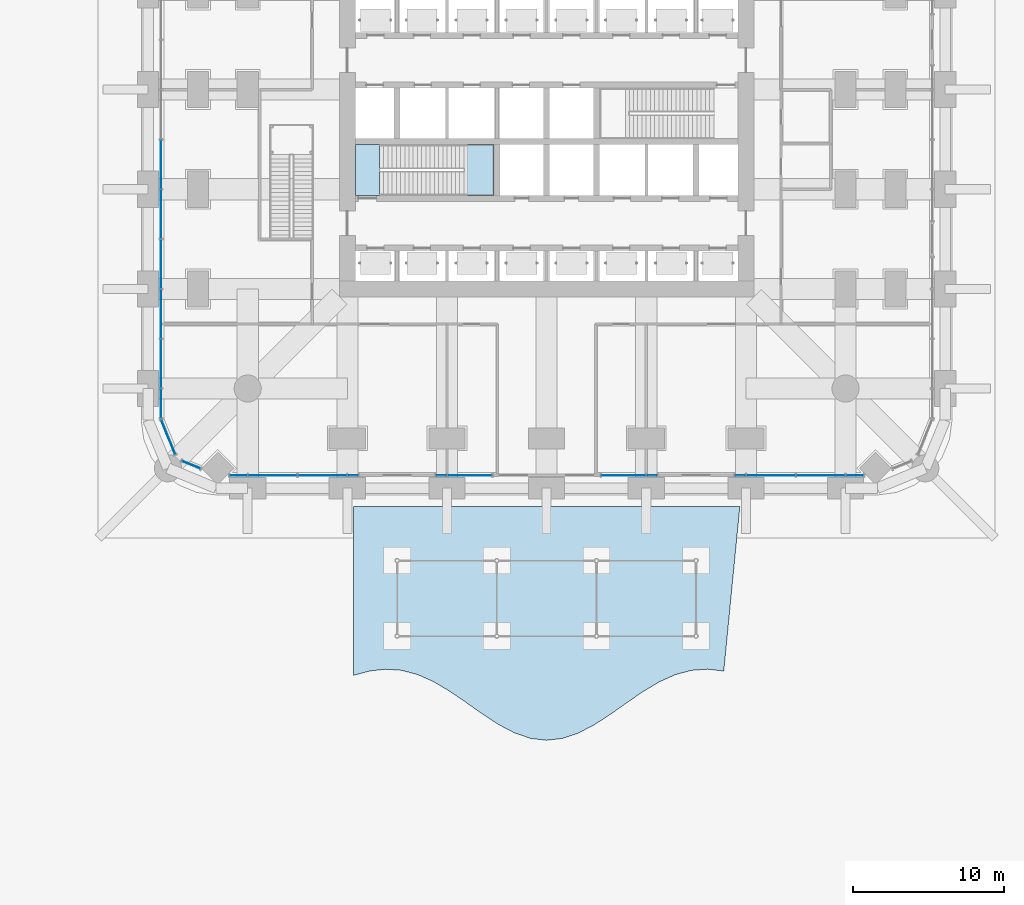
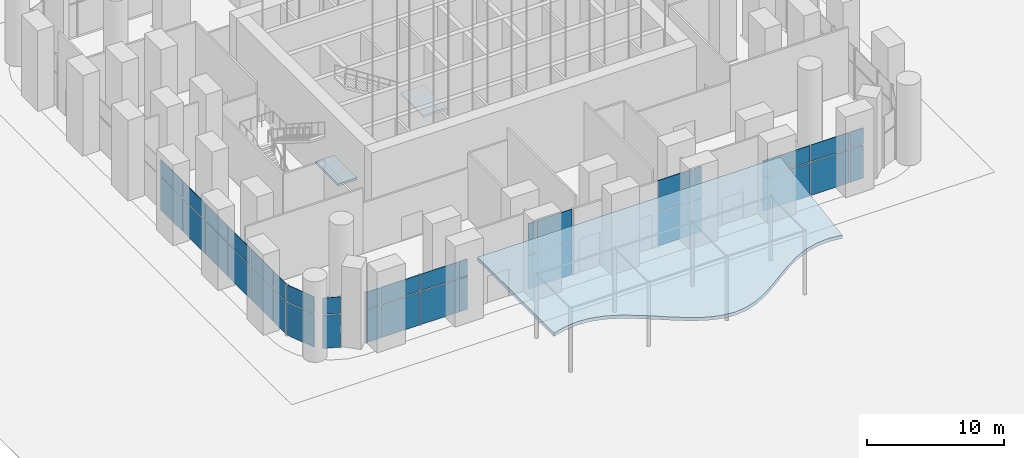
# One storey, part 12 of 32: 40 plates, 4 members, 3 slabs, 8 elements without a shape of their own.
"""IFC4 building model written with IfcOpenShell, lengths in metres."""

import ifcopenshell
import ifcopenshell.guid

model = None  # the IFC model being written
_history = None  # IfcOwnerHistory: only IFC2X3 demands one
_inside = {}  # id of a spatial element -> (the spatial element, [elements in it])
_under = {}  # id of a project, library or spatial element -> (it, [spatial elements below it])
_declared = {}  # id of a project -> (the project, [libraries it declares])
_typed = {}  # id of a type object -> (the type object, [elements of that type])
_made_of = {}  # id of a material, layer set ... -> (it, [elements and type objects made of it])


def new_model(schema):
    """Start an empty IFC model of exactly this schema.

    Asked for "IFC4X3", IfcOpenShell would pick the latest addendum, in which some entities
    have other attributes; the version numbers below select the first issue.
    IFC2X3 requires an IfcOwnerHistory on every rooted entity: one is made here for all.
    """
    global model, _history
    if schema == "IFC4X3":
        model = ifcopenshell.file(schema_version=(4, 3, 0, 0))
    else:
        model = ifcopenshell.file(schema=schema)
    _inside.clear()
    _under.clear()
    _declared.clear()
    _typed.clear()
    _made_of.clear()
    _history = None
    if model.schema == "IFC2X3":
        org = make("IfcOrganization", Name="unknown")
        user = make(
            "IfcPersonAndOrganization",
            ThePerson=make("IfcPerson", FamilyName="unknown"),
            TheOrganization=org,
        )
        app = make(
            "IfcApplication",
            ApplicationDeveloper=org,
            Version="unknown",
            ApplicationFullName="unknown",
            ApplicationIdentifier="unknown",
        )
        _history = make(
            "IfcOwnerHistory",
            OwningUser=user,
            OwningApplication=app,
            ChangeAction="ADDED",
            CreationDate=0,
        )
    return model


def make(cls, **values):
    """One entity of the class cls with the attributes given. An attribute that is None is left unset."""
    return model.create_entity(
        cls, **{name: value for name, value in values.items() if value is not None}
    )


def rooted(cls, **values):
    """An entity with a GlobalId (a new one), such as an element, a storey or a relation."""
    return make(cls, GlobalId=ifcopenshell.guid.new(), OwnerHistory=_history, **values)


def si_unit(unit_type, name, prefix=None):
    """IfcSIUnit, for example si_unit("LENGTHUNIT", "METRE", prefix="MILLI")."""
    return make("IfcSIUnit", UnitType=unit_type, Prefix=prefix, Name=name)


def assignment(units):
    """IfcUnitAssignment: the units of a project."""
    return None if units is None else make("IfcUnitAssignment", Units=units)


def point(xyz):
    """IfcCartesianPoint."""
    return None if xyz is None else make("IfcCartesianPoint", Coordinates=xyz)


def direction(xyz):
    """IfcDirection."""
    return None if xyz is None else make("IfcDirection", DirectionRatios=xyz)


def frame(location, z_axis=None, x_axis=None):
    """IfcAxis2Placement3D, a coordinate frame: its origin and axes. An axis left out is left unset."""
    return make(
        "IfcAxis2Placement3D",
        Location=point(location),
        Axis=direction(z_axis),
        RefDirection=direction(x_axis),
    )


def frame_2d(location, x_axis=None):
    """IfcAxis2Placement2D, a coordinate frame in the plane: its origin and x axis."""
    return make(
        "IfcAxis2Placement2D", Location=point(location), RefDirection=direction(x_axis)
    )


def origin():
    """The frame at (0, 0, 0) with its axes left unset."""
    return frame((0.0, 0.0, 0.0))


def origin_2d():
    """The frame at (0, 0) in the plane with its x axis left unset."""
    return frame_2d((0.0, 0.0))


def place(relative_to, where):
    """IfcLocalPlacement: puts the frame where relative to a parent placement (None: the world)."""
    return make(
        "IfcLocalPlacement", PlacementRelTo=relative_to, RelativePlacement=where
    )


def context(
    kind, dimensions, precision=None, world=None, true_north=None, identifier=None
):
    """IfcGeometricRepresentationContext, for example the 3D "Model" context."""
    return make(
        "IfcGeometricRepresentationContext",
        ContextIdentifier=identifier,
        ContextType=kind,
        CoordinateSpaceDimension=dimensions,
        Precision=precision,
        WorldCoordinateSystem=world,
        TrueNorth=true_north,
    )


def subcontext(parent, identifier, kind, view, scale=None):
    """IfcGeometricRepresentationSubContext, for example "Body" below "Model"."""
    return make(
        "IfcGeometricRepresentationSubContext",
        ContextIdentifier=identifier,
        ContextType=kind,
        ParentContext=parent,
        TargetScale=scale,
        TargetView=view,
    )


def project(units=None, contexts=None):
    """IfcProject with its units and contexts."""
    return rooted(
        "IfcProject",
        Name="project",
        RepresentationContexts=contexts,
        UnitsInContext=assignment(units),
    )


def spatial(cls, under=None, at=None, **own):
    """A site, building, storey or space (cls), placed at a placement, below another one or the project."""
    s = rooted(cls, ObjectPlacement=at, **own)
    if under is not None:
        _under.setdefault(under.id(), (under, []))[1].append(s)
    return s


def polyline(points):
    """IfcPolyline through the points."""
    return make("IfcPolyline", Points=[point(p) for p in points])


def profile(cls, at=None, kind="AREA", **sizes):
    """A parametric profile (cls). Its sizes go by their IFC names, for example OverallWidth=200.0."""
    return make(cls, ProfileType=kind, Position=at, **sizes)


def rectangle(**sizes):
    """IfcRectangleProfileDef."""
    return profile("IfcRectangleProfileDef", **sizes)


def outline(outer, holes=None, kind="AREA"):
    """IfcArbitraryClosedProfileDef: a profile drawn as a closed curve; with holes, ...WithVoids."""
    if holes is None:
        return make("IfcArbitraryClosedProfileDef", ProfileType=kind, OuterCurve=outer)
    return make(
        "IfcArbitraryProfileDefWithVoids",
        ProfileType=kind,
        OuterCurve=outer,
        InnerCurves=holes,
    )


def extrude(swept, where, along, depth):
    """IfcExtrudedAreaSolid: the profile swept, set in the frame where, extruded along a direction by depth."""
    return make(
        "IfcExtrudedAreaSolid",
        SweptArea=swept,
        Position=where,
        ExtrudedDirection=direction(along),
        Depth=depth,
    )


def shape(context_of_items, identifier, shape_type, items):
    """IfcShapeRepresentation: the items that make up one representation, for example the "Body"."""
    return make(
        "IfcShapeRepresentation",
        ContextOfItems=context_of_items,
        RepresentationIdentifier=identifier,
        RepresentationType=shape_type,
        Items=items,
    )


def material(Name=None, Category=None):
    """IfcMaterial."""
    return make("IfcMaterial", Name=Name, Category=Category)


def layer(
    of_material, thickness, ventilated=None, Name=None, Category=None, Priority=None
):
    """IfcMaterialLayer: one layer of a wall or slab, of a material (None: an air gap)."""
    return make(
        "IfcMaterialLayer",
        Material=of_material,
        LayerThickness=thickness,
        IsVentilated=ventilated,
        Name=Name,
        Category=Category,
        Priority=Priority,
    )


def layer_set(layers, Name=None):
    """IfcMaterialLayerSet."""
    return make("IfcMaterialLayerSet", MaterialLayers=layers, LayerSetName=Name)


def material_profile(
    of_material, cross_section, Name=None, Category=None, Priority=None
):
    """IfcMaterialProfile: a cross section and its material."""
    return make(
        "IfcMaterialProfile",
        Name=Name,
        Material=of_material,
        Profile=cross_section,
        Priority=Priority,
        Category=Category,
    )


def profile_set(profiles, Name=None, composite=None):
    """IfcMaterialProfileSet."""
    return make(
        "IfcMaterialProfileSet",
        Name=Name,
        MaterialProfiles=profiles,
        CompositeProfile=composite,
    )


def made_of(thing, what):
    """Note that an element or type object is made of a material, layer set ...; save() writes the relation."""
    if what is not None:
        _made_of.setdefault(what.id(), (what, []))[1].append(thing)
    return thing


def type_object(cls, material=None, **own):
    """A type object (cls), such as IfcWallType, which elements share."""
    return made_of(rooted(cls, **own), material)


def element(
    cls,
    number,
    at=None,
    inside=None,
    cuts=None,
    type_object=None,
    material=None,
    context=None,
    identifier="Body",
    shape_type=None,
    held_by="IfcProductDefinitionShape",
    body=None,
    shapes=None,
    **own,
):
    """One element of the class cls, such as IfcWall. Its Tag is "e" and its number.

    at: its placement. inside: the storey or other place that contains it. cuts: it is an
    opening in that element (IfcRelVoidsElement). A single representation is given by context,
    identifier, shape_type and body (its items); several are given by shapes. held_by: the class
    of the entity that holds the representations. save() writes the other relations.
    """
    e = rooted(cls, Tag="e%d" % number, ObjectPlacement=at, **own)
    if body is not None:
        shapes = [shape(context, identifier, shape_type, body)]
    if shapes is not None:
        e.Representation = make(held_by, Representations=shapes)
    if inside is not None:
        _inside.setdefault(inside.id(), (inside, []))[1].append(e)
    if cuts is not None:
        rooted(
            "IfcRelVoidsElement", RelatingBuildingElement=cuts, RelatedOpeningElement=e
        )
    if type_object is not None:
        _typed.setdefault(type_object.id(), (type_object, []))[1].append(e)
    return made_of(e, material)


def aggregate(whole, parts):
    """IfcRelAggregates: a whole, such as a stair, and the parts it consists of."""
    return rooted("IfcRelAggregates", RelatingObject=whole, RelatedObjects=parts)


def save(model, path):
    """Write the relations noted so far, then the file.

    IfcRelAggregates (storeys below a building ...), IfcRelContainedInSpatialStructure (elements
    in a storey), IfcRelDefinesByType, IfcRelAssociatesMaterial and IfcRelDeclares: one each for
    every whole, place, type object, material and project.
    """
    for whole, parts in _under.values():
        aggregate(whole, parts)
    for where, things in _inside.values():
        rooted(
            "IfcRelContainedInSpatialStructure",
            RelatedElements=things,
            RelatingStructure=where,
        )
    for kind, things in _typed.values():
        rooted("IfcRelDefinesByType", RelatedObjects=things, RelatingType=kind)
    for what, things in _made_of.values():
        rooted("IfcRelAssociatesMaterial", RelatedObjects=things, RelatingMaterial=what)
    for by, libraries in _declared.values():
        rooted("IfcRelDeclares", RelatingContext=by, RelatedDefinitions=libraries)
    model.write(path)


model = new_model("IFC4")

# Units and contexts
model_context = context("Model", 3, precision=1e-05, world=origin(), true_north=direction((0.0, 1.0)))
body_context = subcontext(model_context, "Body", "Model", "MODEL_VIEW")
ifc_project = project(units=[si_unit("LENGTHUNIT", "METRE"), si_unit("AREAUNIT", "SQUARE_METRE"), si_unit("VOLUMEUNIT", "CUBIC_METRE"), si_unit("PLANEANGLEUNIT", "RADIAN"), si_unit("MASSUNIT", "GRAM", prefix="KILO")], contexts=[model_context])

# Site, building, storey
site_placement = place(None, origin())
site = spatial("IfcSite", under=ifc_project, at=site_placement, CompositionType="ELEMENT")
building_placement = place(site_placement, origin())
building = spatial("IfcBuilding", under=site, at=building_placement, Name="Cobogo Forest Laboratory Tower", CompositionType="ELEMENT")
storey_placement = place(building_placement, origin())
storey = spatial("IfcBuildingStorey", under=building, at=storey_placement, Name="L00", CompositionType="ELEMENT", Elevation=0.0)

# Curtain wall, member
ifc_material_1 = material(Name="Aluminium curtain wall", Category="aluminium")
curtain_wall_type = type_object("IfcCurtainWallType", Name="CW-L structural glazing, entrance lobby", PredefinedType="USERDEFINED", material=ifc_material_1)
curtain_wall_1_placement = place(storey_placement, origin())
curtain_wall_1 = element("IfcCurtainWall", 1, at=curtain_wall_1_placement, inside=storey, type_object=curtain_wall_type, Name="Curtain wall 15 L00", ObjectType="STRUCTURAL GLAZING", PredefinedType="USERDEFINED")
ifc_material_2 = material(Name="Aluminium transom", Category="aluminium")
ifc_material_profile = material_profile(ifc_material_2, rectangle(XDim=0.14990234375, YDim=0.080078125, at=origin_2d()), Name="AL 80x150")
ifc_profile_set = profile_set([ifc_material_profile], Name="Aluminium transom")
member_type = type_object("IfcMemberType", Name="TR-3 aluminium lobby transom 80x150", PredefinedType="USERDEFINED", material=ifc_profile_set)
member_1_placement = place(storey_placement, frame((39.56005859375, 0.85009765625, 3.0), z_axis=(-1.0, 0.0, 0.0), x_axis=(0.0, -1.0, 0.0)))
member_1 = element("IfcMember", 2, at=member_1_placement, type_object=member_type, Name="CW-L transom 4.1", ObjectType="TRANSOM", PredefinedType="USERDEFINED", context=body_context, shape_type="SweptSolid", body=[
    extrude(rectangle(XDim=0.14990234375, YDim=0.080078125, at=origin_2d()), origin(), (0.0, 0.0, 1.0), 0.68017578125),
])

curtain_wall_2_placement = place(storey_placement, origin())
curtain_wall_2 = element("IfcCurtainWall", 3, at=curtain_wall_2_placement, inside=storey, type_object=curtain_wall_type, Name="Curtain wall 16 L00", ObjectType="STRUCTURAL GLAZING", PredefinedType="USERDEFINED")
member_2_placement = place(storey_placement, frame((33.719970703125, 0.85009765625, 3.0), z_axis=(-1.0, 0.0, 0.0), x_axis=(0.0, -1.0, 0.0)))
member_2 = element("IfcMember", 4, at=member_2_placement, type_object=member_type, Name="CW-L transom 1.1", ObjectType="TRANSOM", PredefinedType="USERDEFINED", context=body_context, shape_type="SweptSolid", body=[
    extrude(rectangle(XDim=0.14990234375, YDim=0.080078125, at=origin_2d()), origin(), (0.0, 0.0, 1.0), 0.679931640625),
])

curtain_wall_3_placement = place(storey_placement, origin())
curtain_wall_3 = element("IfcCurtainWall", 5, at=curtain_wall_3_placement, inside=storey, type_object=curtain_wall_type, Name="Curtain wall 17 L00", ObjectType="STRUCTURAL GLAZING", PredefinedType="USERDEFINED")
member_3_placement = place(storey_placement, frame((19.760009765625, 0.85009765625, 3.0), z_axis=(-1.0, 0.0, 0.0), x_axis=(0.0, -1.0, 0.0)))
member_3 = element("IfcMember", 6, at=member_3_placement, type_object=member_type, Name="CW-L transom 2.1", ObjectType="TRANSOM", PredefinedType="USERDEFINED", context=body_context, shape_type="SweptSolid", body=[
    extrude(rectangle(XDim=0.14990234375, YDim=0.080078125, at=origin_2d()), origin(), (0.0, 0.0, 1.0), 0.679931640625),
])

curtain_wall_4_placement = place(storey_placement, origin())
curtain_wall_4 = element("IfcCurtainWall", 7, at=curtain_wall_4_placement, inside=storey, type_object=curtain_wall_type, Name="Curtain wall 18 L00", ObjectType="STRUCTURAL GLAZING", PredefinedType="USERDEFINED")
member_4_placement = place(storey_placement, frame((13.919921875, 0.85009765625, 3.0), z_axis=(-1.0, 0.0, 0.0), x_axis=(0.0, -1.0, 0.0)))
member_4 = element("IfcMember", 8, at=member_4_placement, type_object=member_type, Name="CW-L transom 1.1", ObjectType="TRANSOM", PredefinedType="USERDEFINED", context=body_context, shape_type="SweptSolid", body=[
    extrude(rectangle(XDim=0.14990234375, YDim=0.080078125, at=origin_2d()), origin(), (0.0, 0.0, 1.0), 0.679931640625),
])

# Curtain wall, plates
curtain_wall_5_placement = place(storey_placement, origin())
curtain_wall_5 = element("IfcCurtainWall", 9, at=curtain_wall_5_placement, inside=storey, type_object=curtain_wall_type, Name="Curtain wall 01 L00", ObjectType="STRUCTURAL GLAZING", PredefinedType="USERDEFINED")
ifc_material_3 = material(Name="Laminated insulated glass", Category="glass")
ifc_layer_1 = layer(ifc_material_3, 0.0439453125)
ifc_layer_set_1 = layer_set([ifc_layer_1], Name="GP-3 laminated glass unit 44")
plate_type = type_object("IfcPlateType", Name="GP-3 laminated glass unit 44", PredefinedType="CURTAIN_PANEL", material=ifc_layer_set_1)
plate_1_placement = place(storey_placement, frame((2.857177734375, 1.550048828125, 0.0), z_axis=(0.0, 0.0, 1.0), x_axis=(-0.926819589551, 0.37550692194, 0.0)))
plate_1 = element("IfcPlate", 10, at=plate_1_placement, type_object=plate_type, Name="CW-L panel 1.1", PredefinedType="CURTAIN_PANEL", context=body_context, shape_type="SweptSolid", body=[
    extrude(rectangle(XDim=1.30810546875, YDim=0.0439453125, at=origin_2d()), origin(), (0.0, 0.0, 1.0), 2.9599609375),
])
plate_2_placement = place(storey_placement, frame((2.857177734375, 1.550048828125, 3.0400390625), z_axis=(0.0, 0.0, 1.0), x_axis=(-0.926819589551, 0.37550692194, 0.0)))
plate_2 = element("IfcPlate", 11, at=plate_2_placement, type_object=plate_type, Name="CW-L panel 1.2", PredefinedType="CURTAIN_PANEL", context=body_context, shape_type="SweptSolid", body=[
    extrude(rectangle(XDim=1.30810546875, YDim=0.0439453125, at=origin_2d()), origin(), (0.0, 0.0, 1.0), 1.4599609375),
])
aggregate(curtain_wall_5, [plate_1, plate_2])

curtain_wall_6_placement = place(storey_placement, origin())
curtain_wall_6 = element("IfcCurtainWall", 12, at=curtain_wall_6_placement, inside=storey, type_object=curtain_wall_type, Name="Curtain wall 02 L00", ObjectType="STRUCTURAL GLAZING", PredefinedType="USERDEFINED")
plate_3_placement = place(storey_placement, frame((1.337890625, 3.380859375, 0.0), z_axis=(0.0, 0.0, 1.0), x_axis=(-0.375506890138, 0.926819602436, 0.0)))
plate_3 = element("IfcPlate", 13, at=plate_3_placement, type_object=plate_type, Name="CW-L panel 1.1", PredefinedType="CURTAIN_PANEL", context=body_context, shape_type="SweptSolid", body=[
    extrude(rectangle(XDim=2.438720703125, YDim=0.0439453125, at=origin_2d()), origin(), (0.0, 0.0, 1.0), 2.9599609375),
])
plate_4_placement = place(storey_placement, frame((1.337890625, 3.380859375, 3.0400390625), z_axis=(0.0, 0.0, 1.0), x_axis=(-0.375506890138, 0.926819602436, 0.0)))
plate_4 = element("IfcPlate", 14, at=plate_4_placement, type_object=plate_type, Name="CW-L panel 1.2", PredefinedType="CURTAIN_PANEL", context=body_context, shape_type="SweptSolid", body=[
    extrude(rectangle(XDim=2.438720703125, YDim=0.0439453125, at=origin_2d()), origin(), (0.0, 0.0, 1.0), 1.4599609375),
])
aggregate(curtain_wall_6, [plate_3, plate_4])

curtain_wall_7_placement = place(storey_placement, origin())
curtain_wall_7 = element("IfcCurtainWall", 15, at=curtain_wall_7_placement, inside=storey, type_object=curtain_wall_type, Name="Curtain wall 03 L00", ObjectType="STRUCTURAL GLAZING", PredefinedType="USERDEFINED")
plate_5_placement = place(storey_placement, frame((0.85009765625, 5.612548828125, 0.0), z_axis=(0.0, 0.0, 1.0), x_axis=(0.0, 1.0, 0.0)))
plate_5 = element("IfcPlate", 16, at=plate_5_placement, type_object=plate_type, Name="CW-L panel 1.1", PredefinedType="CURTAIN_PANEL", context=body_context, shape_type="SweptSolid", body=[
    extrude(rectangle(XDim=1.894775390625, YDim=0.0439453125, at=origin_2d()), origin(), (0.0, 0.0, 1.0), 2.9599609375),
])
plate_6_placement = place(storey_placement, frame((0.85009765625, 5.612548828125, 3.0400390625), z_axis=(0.0, 0.0, 1.0), x_axis=(0.0, 1.0, 0.0)))
plate_6 = element("IfcPlate", 17, at=plate_6_placement, type_object=plate_type, Name="CW-L panel 1.2", PredefinedType="CURTAIN_PANEL", context=body_context, shape_type="SweptSolid", body=[
    extrude(rectangle(XDim=1.894775390625, YDim=0.0439453125, at=origin_2d()), origin(), (0.0, 0.0, 1.0), 1.4599609375),
])
plate_7_placement = place(storey_placement, frame((0.85009765625, 8.25, 0.0), z_axis=(0.0, 0.0, 1.0), x_axis=(0.0, 1.0, 0.0)))
plate_7 = element("IfcPlate", 18, at=plate_7_placement, type_object=plate_type, Name="CW-L panel 2.1", PredefinedType="CURTAIN_PANEL", context=body_context, shape_type="SweptSolid", body=[
    extrude(rectangle(XDim=3.219970703125, YDim=0.0439453125, at=origin_2d()), origin(), (0.0, 0.0, 1.0), 2.9599609375),
])
plate_8_placement = place(storey_placement, frame((0.85009765625, 8.25, 3.0400390625), z_axis=(0.0, 0.0, 1.0), x_axis=(0.0, 1.0, 0.0)))
plate_8 = element("IfcPlate", 19, at=plate_8_placement, type_object=plate_type, Name="CW-L panel 2.2", PredefinedType="CURTAIN_PANEL", context=body_context, shape_type="SweptSolid", body=[
    extrude(rectangle(XDim=3.219970703125, YDim=0.0439453125, at=origin_2d()), origin(), (0.0, 0.0, 1.0), 1.4599609375),
])
plate_9_placement = place(storey_placement, frame((0.85009765625, 11.550048828125, 0.0), z_axis=(0.0, 0.0, 1.0), x_axis=(0.0, 1.0, 0.0)))
plate_9 = element("IfcPlate", 20, at=plate_9_placement, type_object=plate_type, Name="CW-L panel 3.1", PredefinedType="CURTAIN_PANEL", context=body_context, shape_type="SweptSolid", body=[
    extrude(rectangle(XDim=3.219970703125, YDim=0.0439453125, at=origin_2d()), origin(), (0.0, 0.0, 1.0), 2.9599609375),
])
plate_10_placement = place(storey_placement, frame((0.85009765625, 11.550048828125, 3.0400390625), z_axis=(0.0, 0.0, 1.0), x_axis=(0.0, 1.0, 0.0)))
plate_10 = element("IfcPlate", 21, at=plate_10_placement, type_object=plate_type, Name="CW-L panel 3.2", PredefinedType="CURTAIN_PANEL", context=body_context, shape_type="SweptSolid", body=[
    extrude(rectangle(XDim=3.219970703125, YDim=0.0439453125, at=origin_2d()), origin(), (0.0, 0.0, 1.0), 1.4599609375),
])
plate_11_placement = place(storey_placement, frame((0.85009765625, 14.85009765625, 0.0), z_axis=(0.0, 0.0, 1.0), x_axis=(0.0, 1.0, 0.0)))
plate_11 = element("IfcPlate", 22, at=plate_11_placement, type_object=plate_type, Name="CW-L panel 4.1", PredefinedType="CURTAIN_PANEL", context=body_context, shape_type="SweptSolid", body=[
    extrude(rectangle(XDim=3.219970703125, YDim=0.0439453125, at=origin_2d()), origin(), (0.0, 0.0, 1.0), 2.9599609375),
])
plate_12_placement = place(storey_placement, frame((0.85009765625, 14.85009765625, 3.0400390625), z_axis=(0.0, 0.0, 1.0), x_axis=(0.0, 1.0, 0.0)))
plate_12 = element("IfcPlate", 23, at=plate_12_placement, type_object=plate_type, Name="CW-L panel 4.2", PredefinedType="CURTAIN_PANEL", context=body_context, shape_type="SweptSolid", body=[
    extrude(rectangle(XDim=3.219970703125, YDim=0.0439453125, at=origin_2d()), origin(), (0.0, 0.0, 1.0), 1.4599609375),
])
plate_13_placement = place(storey_placement, frame((0.85009765625, 18.14990234375, 0.0), z_axis=(0.0, 0.0, 1.0), x_axis=(0.0, 1.0, 0.0)))
plate_13 = element("IfcPlate", 24, at=plate_13_placement, type_object=plate_type, Name="CW-L panel 5.1", PredefinedType="CURTAIN_PANEL", context=body_context, shape_type="SweptSolid", body=[
    extrude(rectangle(XDim=3.219970703125, YDim=0.0439453125, at=origin_2d()), origin(), (0.0, 0.0, 1.0), 2.9599609375),
])
plate_14_placement = place(storey_placement, frame((0.85009765625, 18.14990234375, 3.0400390625), z_axis=(0.0, 0.0, 1.0), x_axis=(0.0, 1.0, 0.0)))
plate_14 = element("IfcPlate", 25, at=plate_14_placement, type_object=plate_type, Name="CW-L panel 5.2", PredefinedType="CURTAIN_PANEL", context=body_context, shape_type="SweptSolid", body=[
    extrude(rectangle(XDim=3.219970703125, YDim=0.0439453125, at=origin_2d()), origin(), (0.0, 0.0, 1.0), 1.4599609375),
])
plate_15_placement = place(storey_placement, frame((0.85009765625, 21.449951171875, 0.0), z_axis=(0.0, 0.0, 1.0), x_axis=(0.0, 1.0, 0.0)))
plate_15 = element("IfcPlate", 26, at=plate_15_placement, type_object=plate_type, Name="CW-L panel 6.1", PredefinedType="CURTAIN_PANEL", context=body_context, shape_type="SweptSolid", body=[
    extrude(rectangle(XDim=3.219970703125, YDim=0.0439453125, at=origin_2d()), origin(), (0.0, 0.0, 1.0), 2.9599609375),
])
plate_16_placement = place(storey_placement, frame((0.85009765625, 21.449951171875, 3.0400390625), z_axis=(0.0, 0.0, 1.0), x_axis=(0.0, 1.0, 0.0)))
plate_16 = element("IfcPlate", 27, at=plate_16_placement, type_object=plate_type, Name="CW-L panel 6.2", PredefinedType="CURTAIN_PANEL", context=body_context, shape_type="SweptSolid", body=[
    extrude(rectangle(XDim=3.219970703125, YDim=0.0439453125, at=origin_2d()), origin(), (0.0, 0.0, 1.0), 1.4599609375),
])
aggregate(curtain_wall_7, [plate_5, plate_6, plate_7, plate_8, plate_9, plate_10, plate_11, plate_12, plate_13, plate_14, plate_15, plate_16])

# Plate
plate_17_placement = place(storey_placement, frame((46.812255859375, 0.85009765625, 0.0), z_axis=(0.0, 0.0, 1.0), x_axis=(-1.0, 0.0, 0.0)))
plate_17 = element("IfcPlate", 28, at=plate_17_placement, type_object=plate_type, Name="CW-L panel 1.1", PredefinedType="CURTAIN_PANEL", context=body_context, shape_type="SweptSolid", body=[
    extrude(rectangle(XDim=1.144287109375, YDim=0.0439453125, at=origin_2d()), origin(), (0.0, 0.0, 1.0), 2.9599609375),
])

plate_18_placement = place(storey_placement, frame((46.812255859375, 0.85009765625, 3.0400390625), z_axis=(0.0, 0.0, 1.0), x_axis=(-1.0, 0.0, 0.0)))
plate_18 = element("IfcPlate", 29, at=plate_18_placement, type_object=plate_type, Name="CW-L panel 1.2", PredefinedType="CURTAIN_PANEL", context=body_context, shape_type="SweptSolid", body=[
    extrude(rectangle(XDim=1.144287109375, YDim=0.0439453125, at=origin_2d()), origin(), (0.0, 0.0, 1.0), 1.4599609375),
])

plate_19_placement = place(storey_placement, frame((44.550048828125, 0.85009765625, 0.0), z_axis=(0.0, 0.0, 1.0), x_axis=(-1.0, 0.0, 0.0)))
plate_19 = element("IfcPlate", 30, at=plate_19_placement, type_object=plate_type, Name="CW-L panel 2.1", PredefinedType="CURTAIN_PANEL", context=body_context, shape_type="SweptSolid", body=[
    extrude(rectangle(XDim=3.219970703125, YDim=0.0439453125, at=origin_2d()), origin(), (0.0, 0.0, 1.0), 2.9599609375),
])

plate_20_placement = place(storey_placement, frame((44.550048828125, 0.85009765625, 3.0400390625), z_axis=(0.0, 0.0, 1.0), x_axis=(-1.0, 0.0, 0.0)))
plate_20 = element("IfcPlate", 31, at=plate_20_placement, type_object=plate_type, Name="CW-L panel 2.2", PredefinedType="CURTAIN_PANEL", context=body_context, shape_type="SweptSolid", body=[
    extrude(rectangle(XDim=3.219970703125, YDim=0.0439453125, at=origin_2d()), origin(), (0.0, 0.0, 1.0), 1.4599609375),
])

plate_21_placement = place(storey_placement, frame((41.25, 0.85009765625, 0.0), z_axis=(0.0, 0.0, 1.0), x_axis=(-1.0, 0.0, 0.0)))
plate_21 = element("IfcPlate", 32, at=plate_21_placement, type_object=plate_type, Name="CW-L panel 3.1", PredefinedType="CURTAIN_PANEL", context=body_context, shape_type="SweptSolid", body=[
    extrude(rectangle(XDim=3.219970703125, YDim=0.0439453125, at=origin_2d()), origin(), (0.0, 0.0, 1.0), 2.9599609375),
])

plate_22_placement = place(storey_placement, frame((41.25, 0.85009765625, 3.0400390625), z_axis=(0.0, 0.0, 1.0), x_axis=(-1.0, 0.0, 0.0)))
plate_22 = element("IfcPlate", 33, at=plate_22_placement, type_object=plate_type, Name="CW-L panel 3.2", PredefinedType="CURTAIN_PANEL", context=body_context, shape_type="SweptSolid", body=[
    extrude(rectangle(XDim=3.219970703125, YDim=0.0439453125, at=origin_2d()), origin(), (0.0, 0.0, 1.0), 1.4599609375),
])

plate_23_placement = place(storey_placement, frame((39.219970703125, 0.85009765625, 0.0), z_axis=(0.0, 0.0, 1.0), x_axis=(-1.0, 0.0, 0.0)))
plate_23 = element("IfcPlate", 34, at=plate_23_placement, type_object=plate_type, Name="CW-L panel 4.1", PredefinedType="CURTAIN_PANEL", context=body_context, shape_type="SweptSolid", body=[
    extrude(rectangle(XDim=0.679931640625, YDim=0.0439453125, at=origin_2d()), origin(), (0.0, 0.0, 1.0), 2.9599609375),
])

plate_24_placement = place(storey_placement, frame((39.219970703125, 0.85009765625, 3.0400390625), z_axis=(0.0, 0.0, 1.0), x_axis=(-1.0, 0.0, 0.0)))
plate_24 = element("IfcPlate", 35, at=plate_24_placement, type_object=plate_type, Name="CW-L panel 4.2", PredefinedType="CURTAIN_PANEL", context=body_context, shape_type="SweptSolid", body=[
    extrude(rectangle(XDim=0.679931640625, YDim=0.0439453125, at=origin_2d()), origin(), (0.0, 0.0, 1.0), 1.4599609375),
])

aggregate(curtain_wall_1, [plate_17, plate_18, plate_19, plate_20, plate_21, plate_22, member_1, plate_23, plate_24])

plate_25_placement = place(storey_placement, frame((33.3798828125, 0.85009765625, 0.0), z_axis=(0.0, 0.0, 1.0), x_axis=(-1.0, 0.0, 0.0)))
plate_25 = element("IfcPlate", 36, at=plate_25_placement, type_object=plate_type, Name="CW-L panel 1.1", PredefinedType="CURTAIN_PANEL", context=body_context, shape_type="SweptSolid", body=[
    extrude(rectangle(XDim=0.679931640625, YDim=0.0439453125, at=origin_2d()), origin(), (0.0, 0.0, 1.0), 2.9599609375),
])

plate_26_placement = place(storey_placement, frame((33.3798828125, 0.85009765625, 3.0400390625), z_axis=(0.0, 0.0, 1.0), x_axis=(-1.0, 0.0, 0.0)))
plate_26 = element("IfcPlate", 37, at=plate_26_placement, type_object=plate_type, Name="CW-L panel 1.2", PredefinedType="CURTAIN_PANEL", context=body_context, shape_type="SweptSolid", body=[
    extrude(rectangle(XDim=0.679931640625, YDim=0.0439453125, at=origin_2d()), origin(), (0.0, 0.0, 1.0), 2.81005859375),
])

plate_27_placement = place(storey_placement, frame((31.4951171875, 0.85009765625, 0.0), z_axis=(0.0, 0.0, 1.0), x_axis=(-1.0, 0.0, 0.0)))
plate_27 = element("IfcPlate", 38, at=plate_27_placement, type_object=plate_type, Name="CW-L panel 2.1", PredefinedType="CURTAIN_PANEL", context=body_context, shape_type="SweptSolid", body=[
    extrude(rectangle(XDim=2.929931640625, YDim=0.0439453125, at=origin_2d()), origin(), (0.0, 0.0, 1.0), 2.9599609375),
])

plate_28_placement = place(storey_placement, frame((31.4951171875, 0.85009765625, 3.0400390625), z_axis=(0.0, 0.0, 1.0), x_axis=(-1.0, 0.0, 0.0)))
plate_28 = element("IfcPlate", 39, at=plate_28_placement, type_object=plate_type, Name="CW-L panel 2.2", PredefinedType="CURTAIN_PANEL", context=body_context, shape_type="SweptSolid", body=[
    extrude(rectangle(XDim=2.929931640625, YDim=0.0439453125, at=origin_2d()), origin(), (0.0, 0.0, 1.0), 2.81005859375),
])

aggregate(curtain_wall_2, [member_2, plate_25, plate_26, plate_27, plate_28])

plate_29_placement = place(storey_placement, frame((21.304931640625, 0.85009765625, 0.0), z_axis=(0.0, 0.0, 1.0), x_axis=(-1.0, 0.0, 0.0)))
plate_29 = element("IfcPlate", 40, at=plate_29_placement, type_object=plate_type, Name="CW-L panel 1.1", PredefinedType="CURTAIN_PANEL", context=body_context, shape_type="SweptSolid", body=[
    extrude(rectangle(XDim=2.929931640625, YDim=0.0439453125, at=origin_2d()), origin(), (0.0, 0.0, 1.0), 2.9599609375),
])

plate_30_placement = place(storey_placement, frame((21.304931640625, 0.85009765625, 3.0400390625), z_axis=(0.0, 0.0, 1.0), x_axis=(-1.0, 0.0, 0.0)))
plate_30 = element("IfcPlate", 41, at=plate_30_placement, type_object=plate_type, Name="CW-L panel 1.2", PredefinedType="CURTAIN_PANEL", context=body_context, shape_type="SweptSolid", body=[
    extrude(rectangle(XDim=2.929931640625, YDim=0.0439453125, at=origin_2d()), origin(), (0.0, 0.0, 1.0), 2.81005859375),
])

plate_31_placement = place(storey_placement, frame((19.419921875, 0.85009765625, 0.0), z_axis=(0.0, 0.0, 1.0), x_axis=(-1.0, 0.0, 0.0)))
plate_31 = element("IfcPlate", 42, at=plate_31_placement, type_object=plate_type, Name="CW-L panel 2.1", PredefinedType="CURTAIN_PANEL", context=body_context, shape_type="SweptSolid", body=[
    extrude(rectangle(XDim=0.679931640625, YDim=0.0439453125, at=origin_2d()), origin(), (0.0, 0.0, 1.0), 2.9599609375),
])

plate_32_placement = place(storey_placement, frame((19.419921875, 0.85009765625, 3.0400390625), z_axis=(0.0, 0.0, 1.0), x_axis=(-1.0, 0.0, 0.0)))
plate_32 = element("IfcPlate", 43, at=plate_32_placement, type_object=plate_type, Name="CW-L panel 2.2", PredefinedType="CURTAIN_PANEL", context=body_context, shape_type="SweptSolid", body=[
    extrude(rectangle(XDim=0.679931640625, YDim=0.0439453125, at=origin_2d()), origin(), (0.0, 0.0, 1.0), 2.81005859375),
])

aggregate(curtain_wall_3, [plate_29, plate_30, member_3, plate_31, plate_32])

plate_33_placement = place(storey_placement, frame((13.580078125, 0.85009765625, 0.0), z_axis=(0.0, 0.0, 1.0), x_axis=(-1.0, 0.0, 0.0)))
plate_33 = element("IfcPlate", 44, at=plate_33_placement, type_object=plate_type, Name="CW-L panel 1.1", PredefinedType="CURTAIN_PANEL", context=body_context, shape_type="SweptSolid", body=[
    extrude(rectangle(XDim=0.679931640625, YDim=0.0439453125, at=origin_2d()), origin(), (0.0, 0.0, 1.0), 2.9599609375),
])

plate_34_placement = place(storey_placement, frame((13.580078125, 0.85009765625, 3.0400390625), z_axis=(0.0, 0.0, 1.0), x_axis=(-1.0, 0.0, 0.0)))
plate_34 = element("IfcPlate", 45, at=plate_34_placement, type_object=plate_type, Name="CW-L panel 1.2", PredefinedType="CURTAIN_PANEL", context=body_context, shape_type="SweptSolid", body=[
    extrude(rectangle(XDim=0.679931640625, YDim=0.0439453125, at=origin_2d()), origin(), (0.0, 0.0, 1.0), 1.4599609375),
])

plate_35_placement = place(storey_placement, frame((11.550048828125, 0.85009765625, 0.0), z_axis=(0.0, 0.0, 1.0), x_axis=(-1.0, 0.0, 0.0)))
plate_35 = element("IfcPlate", 46, at=plate_35_placement, type_object=plate_type, Name="CW-L panel 2.1", PredefinedType="CURTAIN_PANEL", context=body_context, shape_type="SweptSolid", body=[
    extrude(rectangle(XDim=3.219970703125, YDim=0.0439453125, at=origin_2d()), origin(), (0.0, 0.0, 1.0), 2.9599609375),
])

plate_36_placement = place(storey_placement, frame((11.550048828125, 0.85009765625, 3.0400390625), z_axis=(0.0, 0.0, 1.0), x_axis=(-1.0, 0.0, 0.0)))
plate_36 = element("IfcPlate", 47, at=plate_36_placement, type_object=plate_type, Name="CW-L panel 2.2", PredefinedType="CURTAIN_PANEL", context=body_context, shape_type="SweptSolid", body=[
    extrude(rectangle(XDim=3.219970703125, YDim=0.0439453125, at=origin_2d()), origin(), (0.0, 0.0, 1.0), 1.4599609375),
])

plate_37_placement = place(storey_placement, frame((8.25, 0.85009765625, 0.0), z_axis=(0.0, 0.0, 1.0), x_axis=(-1.0, 0.0, 0.0)))
plate_37 = element("IfcPlate", 48, at=plate_37_placement, type_object=plate_type, Name="CW-L panel 3.1", PredefinedType="CURTAIN_PANEL", context=body_context, shape_type="SweptSolid", body=[
    extrude(rectangle(XDim=3.219970703125, YDim=0.0439453125, at=origin_2d()), origin(), (0.0, 0.0, 1.0), 2.9599609375),
])

plate_38_placement = place(storey_placement, frame((8.25, 0.85009765625, 3.0400390625), z_axis=(0.0, 0.0, 1.0), x_axis=(-1.0, 0.0, 0.0)))
plate_38 = element("IfcPlate", 49, at=plate_38_placement, type_object=plate_type, Name="CW-L panel 3.2", PredefinedType="CURTAIN_PANEL", context=body_context, shape_type="SweptSolid", body=[
    extrude(rectangle(XDim=3.219970703125, YDim=0.0439453125, at=origin_2d()), origin(), (0.0, 0.0, 1.0), 1.4599609375),
])

plate_39_placement = place(storey_placement, frame((5.98779296875, 0.85009765625, 0.0), z_axis=(0.0, 0.0, 1.0), x_axis=(-1.0, 0.0, 0.0)))
plate_39 = element("IfcPlate", 50, at=plate_39_placement, type_object=plate_type, Name="CW-L panel 4.1", PredefinedType="CURTAIN_PANEL", context=body_context, shape_type="SweptSolid", body=[
    extrude(rectangle(XDim=1.144287109375, YDim=0.0439453125, at=origin_2d()), origin(), (0.0, 0.0, 1.0), 2.9599609375),
])

plate_40_placement = place(storey_placement, frame((5.98779296875, 0.85009765625, 3.0400390625), z_axis=(0.0, 0.0, 1.0), x_axis=(-1.0, 0.0, 0.0)))
plate_40 = element("IfcPlate", 51, at=plate_40_placement, type_object=plate_type, Name="CW-L panel 4.2", PredefinedType="CURTAIN_PANEL", context=body_context, shape_type="SweptSolid", body=[
    extrude(rectangle(XDim=1.144287109375, YDim=0.0439453125, at=origin_2d()), origin(), (0.0, 0.0, 1.0), 1.4599609375),
])

aggregate(curtain_wall_4, [member_4, plate_33, plate_34, plate_35, plate_36, plate_37, plate_38, plate_39, plate_40])

# Slab
ifc_material_4 = material(Name="Concrete HA-40 (C40/50)", Category="concrete")
ifc_layer_2 = layer(ifc_material_4, 0.300048828125)
ifc_layer_set_2 = layer_set([ifc_layer_2], Name="Marquise canopy slab 300")
slab_type_1 = type_object("IfcSlabType", Name="Marquise canopy slab 300", PredefinedType="ROOF", material=ifc_layer_set_2)
slab_1_placement = place(storey_placement, frame((0.0, 0.0, 5.699951171875)))
element("IfcSlab", 52, at=slab_1_placement, inside=storey, type_object=slab_type_1, Name="Entrance marquise canopy", PredefinedType="ROOF", context=body_context, shape_type="SweptSolid", body=[
    extrude(outline(polyline([(13.60009765625, -1.199951171875), (39.199951171875, -1.199951171875), (38.13330078125, -12.113525390625), (37.066650390625, -11.991455078125), (36.0, -12.06640625), (34.933349609375, -12.35009765625), (33.86669921875, -12.82861328125), (32.800048828125, -13.463623046875), (31.7333984375, -14.195556640625), (30.666748046875, -14.949951171875), (29.60009765625, -15.646484375), (28.533203125, -16.20849609375), (27.466796875, -16.573486328125), (26.39990234375, -16.699951171875), (25.333251953125, -16.573486328125), (24.2666015625, -16.20849609375), (23.199951171875, -15.646484375), (22.13330078125, -14.949951171875), (21.066650390625, -14.195556640625), (20.0, -13.463623046875), (18.933349609375, -12.82861328125), (17.86669921875, -12.35009765625), (16.800048828125, -12.06640625), (15.7333984375, -11.991455078125), (14.666748046875, -12.113525390625), (13.60009765625, -12.39990234375), (13.60009765625, -1.199951171875)])), origin(), (0.0, 0.0, 1.0), 0.300048828125),
])

# Stair, slabs
ifc_material_5 = material(Name="Precast concrete HA-40 (C40/50)", Category="concrete")
stair_type = type_object("IfcStairType", Name="ST42 exit stair 42 risers", PredefinedType="HALF_TURN_STAIR", material=ifc_material_5)
stair_placement = place(storey_placement, origin())
stair = element("IfcStair", 53, at=stair_placement, inside=storey, type_object=stair_type, Name="Stair 1 L00 to L01", PredefinedType="HALF_TURN_STAIR")
ifc_layer_3 = layer(ifc_material_4, 0.199951171875)
ifc_layer_set_3 = layer_set([ifc_layer_3], Name="SL stair landing 200")
slab_type_2 = type_object("IfcSlabType", Name="SL stair landing 200", PredefinedType="LANDING", material=ifc_layer_set_3)
slab_2_placement = place(storey_placement, frame((0.0, 0.0, -0.199951171875)))
slab_2 = element("IfcSlab", 54, at=slab_2_placement, type_object=slab_type_2, Name="ST1 landing 1", PredefinedType="LANDING", context=body_context, shape_type="SweptSolid", body=[
    extrude(outline(polyline([(13.72509765625, 19.39990234375), (15.326904296875, 19.39990234375), (15.326904296875, 22.75), (13.72509765625, 22.75), (13.72509765625, 19.39990234375)])), origin(), (0.0, 0.0, 1.0), 0.199951171875),
])
slab_3_placement = place(storey_placement, frame((0.0, 0.0, 3.39990234375)))
slab_3 = element("IfcSlab", 55, at=slab_3_placement, type_object=slab_type_2, Name="ST1 landing 2", PredefinedType="LANDING", context=body_context, shape_type="SweptSolid", body=[
    extrude(outline(polyline([(20.923095703125, 19.39990234375), (22.89990234375, 19.39990234375), (22.89990234375, 22.75), (20.923095703125, 22.75), (20.923095703125, 19.39990234375)])), origin(), (0.0, 0.0, 1.0), 0.2001953125),
])
aggregate(stair, [slab_2, slab_3])

save(model, "model.ifc")
